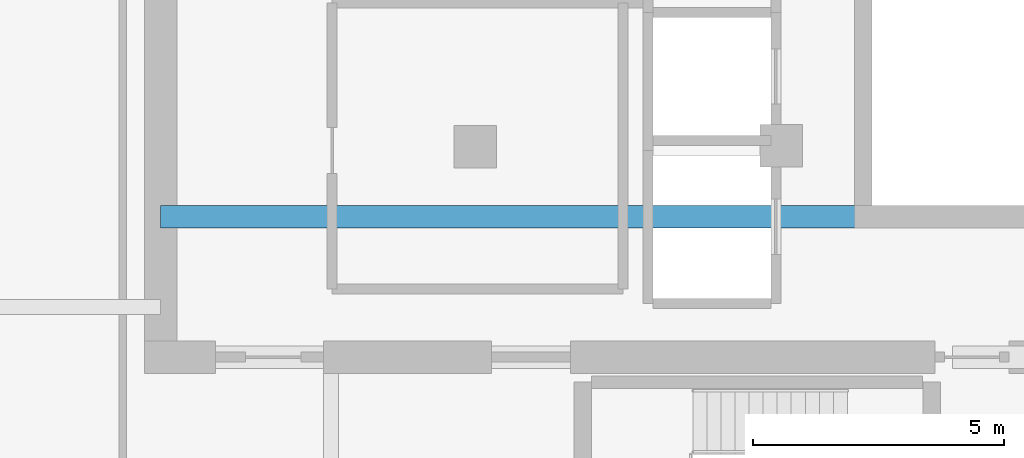
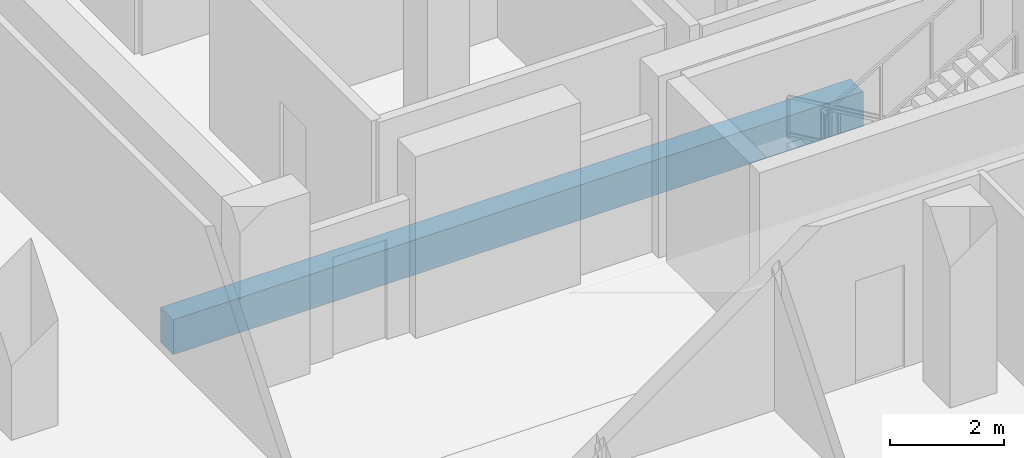
# One storey, part 7 of 26: 1 beam.
"""IFC4 building model written with IfcOpenShell, lengths in metres."""

from ifc_helpers import new_model, si_unit, direction, frame, origin, origin_2d, place, context, subcontext, project, spatial, rectangle, extrude, material, material_profile, profile_set, type_object, element, save


model = new_model("IFC4")

# Units and contexts
model_context = context("Model", 3, precision=1e-05, world=origin(), true_north=direction((0.0, 1.0)))
body_context = subcontext(model_context, "Body", "Model", "MODEL_VIEW")
ifc_project = project(units=[si_unit("LENGTHUNIT", "METRE"), si_unit("AREAUNIT", "SQUARE_METRE"), si_unit("VOLUMEUNIT", "CUBIC_METRE"), si_unit("PLANEANGLEUNIT", "RADIAN"), si_unit("MASSUNIT", "GRAM", prefix="KILO")], contexts=[model_context])

# Site, building, storey
site_placement = place(None, origin())
site = spatial("IfcSite", under=ifc_project, at=site_placement, CompositionType="ELEMENT")
building_placement = place(site_placement, origin())
building = spatial("IfcBuilding", under=site, at=building_placement, Name="Khorvyn Point Tower", CompositionType="ELEMENT")
storey_placement = place(building_placement, frame((0.0, 0.0, 250.800048828125)))
storey = spatial("IfcBuildingStorey", under=building, at=storey_placement, Name="L61", CompositionType="ELEMENT", Elevation=250.800048828125)

# Beam
ifc_material = material(Name="Concrete C40/50", Category="concrete")
ifc_material_profile = material_profile(ifc_material, rectangle(XDim=0.449951171875, YDim=0.75, at=origin_2d()))
ifc_profile_set = profile_set([ifc_material_profile], Name="Concrete C40/50 RC450x750")
beam_type = type_object("IfcBeamType", Name="Concrete C40/50 Beam RC450x750", PredefinedType="BEAM", material=ifc_profile_set)
beam_placement = place(storey_placement, frame((-10.800048828125, -5.60009765625, -0.594970703125), z_axis=(1.0, 0.0, 0.0), x_axis=(0.0, 1.0, 0.0)))
element("IfcBeam", 1, at=beam_placement, inside=storey, type_object=beam_type, Name="L61 Core Internal Tie Girder S", PredefinedType="BEAM", context=body_context, shape_type="SweptSolid", body=[
    extrude(rectangle(XDim=0.449951171875, YDim=0.75, at=origin_2d()), origin(), (0.0, 0.0, 1.0), 14.02001953125),
])

save(model, "model.ifc")
